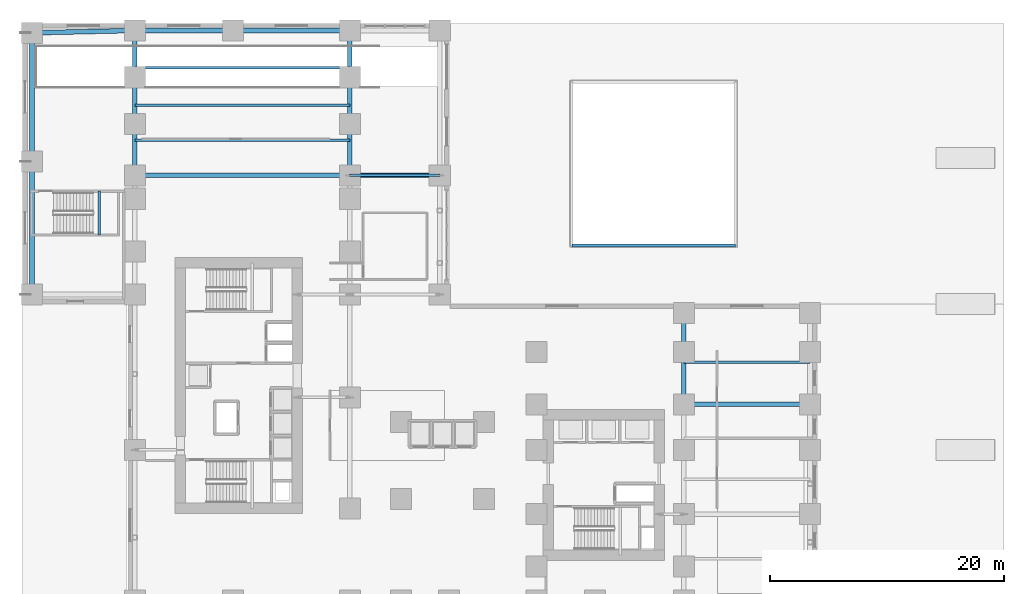
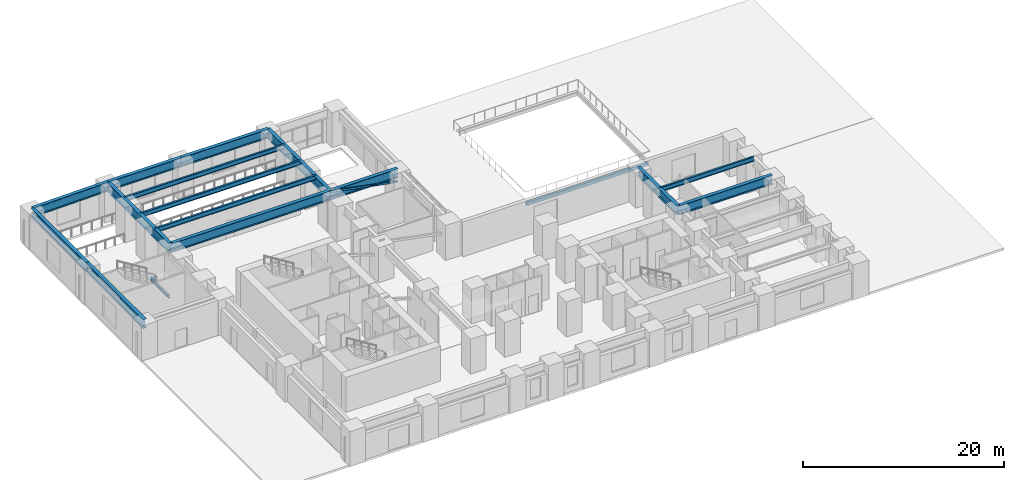
# One storey, part 7 of 23: 17 beams, 1 member.
"""IFC4 building model written with IfcOpenShell, lengths in metres."""

from ifc_helpers import new_model, si_unit, direction, frame, origin, origin_2d, place, context, subcontext, project, spatial, hollow_rectangle, i_section, extrude, source, transform, mapped, material, material_profile, profile_set, type_object, element, save


model = new_model("IFC4")

# Units and contexts
model_context = context("Model", 3, precision=1e-05, world=origin(), true_north=direction((0.0, 1.0)))
body_context = subcontext(model_context, "Body", "Model", "MODEL_VIEW")
ifc_project = project(units=[si_unit("LENGTHUNIT", "METRE"), si_unit("AREAUNIT", "SQUARE_METRE"), si_unit("VOLUMEUNIT", "CUBIC_METRE"), si_unit("PLANEANGLEUNIT", "RADIAN"), si_unit("MASSUNIT", "GRAM", prefix="KILO")], contexts=[model_context])

# Site, building, storey
site_placement = place(None, origin())
site = spatial("IfcSite", under=ifc_project, at=site_placement, CompositionType="ELEMENT")
building_placement = place(site_placement, origin())
building = spatial("IfcBuilding", under=site, at=building_placement, Name="Kharzan Plaza Tower", CompositionType="ELEMENT")
storey_placement = place(building_placement, origin())
storey = spatial("IfcBuildingStorey", under=building, at=storey_placement, Name="L00", CompositionType="ELEMENT", Elevation=0.0)

# Beams
ifc_material = material(Name="Steel S355", Category="steel")
ifc_material_profile_1 = material_profile(ifc_material, i_section(OverallWidth=0.214111328125, OverallDepth=0.549072265625, WebThickness=0.0146484375, FlangeThickness=0.023681640625, at=origin_2d()), Name="W530x138")
ifc_profile_set_1 = profile_set([ifc_material_profile_1], Name="Steel S355")
beam_type_1 = type_object("IfcBeamType", Name="BM-JST530A", PredefinedType="JOIST", material=ifc_profile_set_1)
shared_shape_1 = source(origin(), body_context, "Body", "SweptSolid", [
    extrude(i_section(OverallWidth=0.214111328125, OverallDepth=0.549072265625, WebThickness=0.0146484375, FlangeThickness=0.023681640625, at=origin_2d()), origin(), (0.0, 0.0, 1.0), 18.39990234375),
])
for number, where, z_axis, x_axis, name in (
    (1, (0.60009765625, 40.0, 3.9755859375), (1.0, 0.0, 0.0), (0.0, 1.0, 0.0), "L00 Auditorium Joist PJ-1"),
    (2, (0.60009765625, 43.0, 3.9755859375), (1.0, 0.0, 0.0), (0.0, 1.0, 0.0), "L00 Auditorium Joist PJ-2"),
    (3, (0.60009765625, 46.199951171875, 3.9755859375), (1.0, 0.0, 0.0), (0.0, 1.0, 0.0), "L00 Auditorium Joist PJ-3"),
):
    element("IfcBeam", number, at=place(storey_placement, frame(where, z_axis=z_axis, x_axis=x_axis)), inside=storey, type_object=beam_type_1, Name=name, PredefinedType="JOIST", context=body_context, shape_type="MappedRepresentation", body=[
        mapped(shared_shape_1, transform((0.0, 0.0, 0.0), x_axis=(1.0, 0.0, 0.0), y_axis=(0.0, 1.0, 0.0), z_axis=(0.0, 0.0, 1.0))),
    ])
shared_shape_2 = source(origin(), body_context, "Body", "SweptSolid", [
    extrude(i_section(OverallWidth=0.214111328125, OverallDepth=0.549072265625, WebThickness=0.0146484375, FlangeThickness=0.023681640625, at=origin_2d()), origin(), (0.0, 0.0, 1.0), 10.7998046875),
])
beam_1_placement = place(storey_placement, frame((47.60009765625, 21.0, 3.9755859375), z_axis=(1.0, 0.0, 0.0), x_axis=(0.0, 1.0, 0.0)))
element("IfcBeam", 4, at=beam_1_placement, inside=storey, type_object=beam_type_1, Name="L00 East Podium Joist PJ-B4", PredefinedType="JOIST", context=body_context, shape_type="MappedRepresentation", body=[
    mapped(shared_shape_2, transform((0.0, 0.0, 0.0), x_axis=(1.0, 0.0, 0.0), y_axis=(0.0, 1.0, 0.0), z_axis=(0.0, 0.0, 1.0))),
])
ifc_material_profile_2 = material_profile(ifc_material, i_section(OverallWidth=0.39990234375, OverallDepth=1.10009765625, WebThickness=0.02001953125, FlangeThickness=0.035888671875, at=origin_2d()), Name="W1100x390")
ifc_profile_set_2 = profile_set([ifc_material_profile_2], Name="Steel S355")
beam_type_2 = type_object("IfcBeamType", Name="BM-PG1100B", PredefinedType="BEAM", material=ifc_profile_set_2)
shared_shape_3 = source(origin(), body_context, "Body", "SweptSolid", [
    extrude(i_section(OverallWidth=0.39990234375, OverallDepth=1.10009765625, WebThickness=0.02001953125, FlangeThickness=0.035888671875, at=origin_2d()), origin(), (0.0, 0.0, 1.0), 10.0),
])
beam_2_placement = place(storey_placement, frame((9.0, 49.39990234375, 3.699951171875), z_axis=(1.0, 0.0, 0.0), x_axis=(0.0, 1.0, 0.0)))
element("IfcBeam", 5, at=beam_2_placement, inside=storey, type_object=beam_type_2, Name="L00 Podium Primary Girder PG-10", PredefinedType="BEAM", context=body_context, shape_type="MappedRepresentation", body=[
    mapped(shared_shape_3, transform((0.0, 0.0, 0.0), x_axis=(1.0, 0.0, 0.0), y_axis=(0.0, 1.0, 0.0), z_axis=(0.0, 0.0, 1.0))),
])
shared_shape_4 = source(origin(), body_context, "Body", "SweptSolid", [
    extrude(i_section(OverallWidth=0.39990234375, OverallDepth=1.10009765625, WebThickness=0.02001953125, FlangeThickness=0.035888671875, at=origin_2d()), origin(), (0.0, 0.0, 1.0), 7.699951171875),
])
beam_3_placement = place(storey_placement, frame((19.0, 37.0, 3.699951171875), z_axis=(1.0, 0.0, 0.0), x_axis=(0.0, 1.0, 0.0)))
element("IfcBeam", 6, at=beam_3_placement, inside=storey, type_object=beam_type_2, Name="L00 Podium Primary Girder PG-13", PredefinedType="BEAM", context=body_context, shape_type="MappedRepresentation", body=[
    mapped(shared_shape_4, transform((0.0, 0.0, 0.0), x_axis=(1.0, 0.0, 0.0), y_axis=(0.0, 1.0, 0.0), z_axis=(0.0, 0.0, 1.0))),
])
shared_shape_5 = source(origin(), body_context, "Body", "SweptSolid", [
    extrude(i_section(OverallWidth=0.39990234375, OverallDepth=1.10009765625, WebThickness=0.02001953125, FlangeThickness=0.035888671875, at=origin_2d()), origin(), (0.0, 0.0, 1.0), 18.39990234375),
])
beam_4_placement = place(storey_placement, frame((0.60009765625, 37.0, 3.699951171875), z_axis=(1.0, 0.0, 0.0), x_axis=(0.0, 1.0, 0.0)))
element("IfcBeam", 7, at=beam_4_placement, inside=storey, type_object=beam_type_2, Name="L00 Podium Primary Girder PG-12", PredefinedType="BEAM", context=body_context, shape_type="MappedRepresentation", body=[
    mapped(shared_shape_5, transform((0.0, 0.0, 0.0), x_axis=(1.0, 0.0, 0.0), y_axis=(0.0, 1.0, 0.0), z_axis=(0.0, 0.0, 1.0))),
])
shared_shape_6 = source(origin(), body_context, "Body", "SweptSolid", [
    extrude(i_section(OverallWidth=0.39990234375, OverallDepth=1.10009765625, WebThickness=0.02001953125, FlangeThickness=0.035888671875, at=origin_2d()), origin(), (0.0, 0.0, 1.0), 12.39990234375),
])
for number, where, z_axis, x_axis, name in (
    (8, (0.60009765625, 37.0, 3.699951171875), (0.0, 1.0, 0.0), (-1.0, 0.0, 0.0), "L00 Podium Primary Girder PG-17"),
    (9, (19.0, 37.0, 3.699951171875), (0.0, 1.0, 0.0), (-1.0, 0.0, 0.0), "L00 Podium Primary Girder PG-21"),
):
    element("IfcBeam", number, at=place(storey_placement, frame(where, z_axis=z_axis, x_axis=x_axis)), inside=storey, type_object=beam_type_2, Name=name, PredefinedType="BEAM", context=body_context, shape_type="MappedRepresentation", body=[
        mapped(shared_shape_6, transform((0.0, 0.0, 0.0), x_axis=(1.0, 0.0, 0.0), y_axis=(0.0, 1.0, 0.0), z_axis=(0.0, 0.0, 1.0))),
    ])
shared_shape_7 = source(origin(), body_context, "Body", "SweptSolid", [
    extrude(i_section(OverallWidth=0.39990234375, OverallDepth=1.10009765625, WebThickness=0.02001953125, FlangeThickness=0.035888671875, at=origin_2d()), origin(), (0.0, 0.0, 1.0), 8.39990234375),
])
beam_5_placement = place(storey_placement, frame((0.60009765625, 49.39990234375, 3.699951171875), z_axis=(1.0, 0.0, 0.0), x_axis=(0.0, 1.0, 0.0)))
element("IfcBeam", 10, at=beam_5_placement, inside=storey, type_object=beam_type_2, Name="L00 Podium Primary Girder PG-9", PredefinedType="BEAM", context=body_context, shape_type="MappedRepresentation", body=[
    mapped(shared_shape_7, transform((0.0, 0.0, 0.0), x_axis=(1.0, 0.0, 0.0), y_axis=(0.0, 1.0, 0.0), z_axis=(0.0, 0.0, 1.0))),
])
shared_shape_8 = source(origin(), body_context, "Body", "SweptSolid", [
    extrude(i_section(OverallWidth=0.39990234375, OverallDepth=1.10009765625, WebThickness=0.02001953125, FlangeThickness=0.035888671875, at=origin_2d()), origin(), (0.0, 0.0, 1.0), 7.800048828125),
])
beam_6_placement = place(storey_placement, frame((47.60009765625, 17.39990234375, 3.699951171875), z_axis=(0.0, 1.0, 0.0), x_axis=(-1.0, 0.0, 0.0)))
element("IfcBeam", 11, at=beam_6_placement, inside=storey, type_object=beam_type_2, Name="L00 Podium Primary Girder PG-24", PredefinedType="BEAM", context=body_context, shape_type="MappedRepresentation", body=[
    mapped(shared_shape_8, transform((0.0, 0.0, 0.0), x_axis=(1.0, 0.0, 0.0), y_axis=(0.0, 1.0, 0.0), z_axis=(0.0, 0.0, 1.0))),
])
shared_shape_9 = source(origin(), body_context, "Body", "SweptSolid", [
    extrude(i_section(OverallWidth=0.39990234375, OverallDepth=1.10009765625, WebThickness=0.02001953125, FlangeThickness=0.035888671875, at=origin_2d()), origin(), (0.0, 0.0, 1.0), 10.7998046875),
])
beam_7_placement = place(storey_placement, frame((47.60009765625, 17.39990234375, 3.699951171875), z_axis=(1.0, 0.0, 0.0), x_axis=(0.0, 1.0, 0.0)))
element("IfcBeam", 12, at=beam_7_placement, inside=storey, type_object=beam_type_2, Name="L00 Podium Primary Girder PG-29", PredefinedType="BEAM", context=body_context, shape_type="MappedRepresentation", body=[
    mapped(shared_shape_9, transform((0.0, 0.0, 0.0), x_axis=(1.0, 0.0, 0.0), y_axis=(0.0, 1.0, 0.0), z_axis=(0.0, 0.0, 1.0))),
])
shared_shape_10 = source(origin(), body_context, "Body", "SweptSolid", [
    extrude(i_section(OverallWidth=0.39990234375, OverallDepth=1.10009765625, WebThickness=0.02001953125, FlangeThickness=0.035888671875, at=origin_2d()), origin(), (0.0, 0.0, 1.0), 8.80224609375),
])
beam_8_placement = place(storey_placement, frame((-8.199951171875, 49.199951171875, 3.699951171875), z_axis=(0.9997419644, 0.022715735021, 0.0), x_axis=(-0.022715735021, 0.9997419644, 0.0)))
element("IfcBeam", 13, at=beam_8_placement, inside=storey, type_object=beam_type_2, Name="L00 Podium Primary Girder PG-8", PredefinedType="BEAM", context=body_context, shape_type="MappedRepresentation", body=[
    mapped(shared_shape_10, transform((0.0, 0.0, 0.0), x_axis=(1.0, 0.0, 0.0), y_axis=(0.0, 1.0, 0.0), z_axis=(0.0, 0.0, 1.0))),
])
shared_shape_11 = source(origin(), body_context, "Body", "SweptSolid", [
    extrude(i_section(OverallWidth=0.39990234375, OverallDepth=1.10009765625, WebThickness=0.02001953125, FlangeThickness=0.035888671875, at=origin_2d()), origin(), (0.0, 0.0, 1.0), 11.39990234375),
])
beam_9_placement = place(storey_placement, frame((-8.199951171875, 26.800048828125, 3.699951171875), z_axis=(0.0, 1.0, 0.0), x_axis=(-1.0, 0.0, 0.0)))
element("IfcBeam", 14, at=beam_9_placement, inside=storey, type_object=beam_type_2, Name="L00 Podium Primary Girder PG-8W1", PredefinedType="BEAM", context=body_context, shape_type="MappedRepresentation", body=[
    mapped(shared_shape_11, transform((0.0, 0.0, 0.0), x_axis=(1.0, 0.0, 0.0), y_axis=(0.0, 1.0, 0.0), z_axis=(0.0, 0.0, 1.0))),
])
shared_shape_12 = source(origin(), body_context, "Body", "SweptSolid", [
    extrude(i_section(OverallWidth=0.39990234375, OverallDepth=1.10009765625, WebThickness=0.02001953125, FlangeThickness=0.035888671875, at=origin_2d()), origin(), (0.0, 0.0, 1.0), 11.0),
])
beam_10_placement = place(storey_placement, frame((-8.199951171875, 38.199951171875, 3.699951171875), z_axis=(0.0, 1.0, 0.0), x_axis=(-1.0, 0.0, 0.0)))
element("IfcBeam", 15, at=beam_10_placement, inside=storey, type_object=beam_type_2, Name="L00 Podium Primary Girder PG-8W2", PredefinedType="BEAM", context=body_context, shape_type="MappedRepresentation", body=[
    mapped(shared_shape_12, transform((0.0, 0.0, 0.0), x_axis=(1.0, 0.0, 0.0), y_axis=(0.0, 1.0, 0.0), z_axis=(0.0, 0.0, 1.0))),
])
ifc_material_profile_3 = material_profile(ifc_material, i_section(OverallWidth=0.205078125, OverallDepth=0.35400390625, WebThickness=0.009521484375, FlangeThickness=0.016845703125, at=origin_2d()), Name="W360x79")
ifc_profile_set_3 = profile_set([ifc_material_profile_3], Name="Steel S355")
beam_type_3 = type_object("IfcBeamType", Name="BM-LNT360", PredefinedType="LINTEL", material=ifc_profile_set_3)
shared_shape_13 = source(origin(), body_context, "Body", "SweptSolid", [
    extrude(i_section(OverallWidth=0.205078125, OverallDepth=0.35400390625, WebThickness=0.009521484375, FlangeThickness=0.016845703125, at=origin_2d()), origin(), (0.0, 0.0, 1.0), 3.760009765625),
])
beam_11_placement = place(storey_placement, frame((-2.449951171875, 31.89501953125, 1.873046875), z_axis=(0.0, 1.0, 0.0), x_axis=(-1.0, 0.0, 0.0)))
element("IfcBeam", 16, at=beam_11_placement, inside=storey, type_object=beam_type_3, Name="L00 Stair ST-4 Half-Landing Beam", PredefinedType="LINTEL", context=body_context, shape_type="MappedRepresentation", body=[
    mapped(shared_shape_13, transform((0.0, 0.0, 0.0), x_axis=(1.0, 0.0, 0.0), y_axis=(0.0, 1.0, 0.0), z_axis=(0.0, 0.0, 1.0))),
])
ifc_material_profile_4 = material_profile(ifc_material, hollow_rectangle(XDim=0.25, YDim=0.39990234375, WallThickness=0.01611328125, at=origin_2d()), Name="RHS400x250x16")
ifc_profile_set_4 = profile_set([ifc_material_profile_4], Name="Steel S355")
beam_type_4 = type_object("IfcBeamType", Name="BM-OCU400", PredefinedType="SPANDREL", material=ifc_profile_set_4)
shared_shape_14 = source(origin(), body_context, "Body", "SweptSolid", [
    extrude(hollow_rectangle(XDim=0.25, YDim=0.39990234375, WallThickness=0.01611328125, at=origin_2d()), origin(), (0.0, 0.0, 1.0), 14.0),
])
beam_12_placement = place(storey_placement, frame((38.0, 31.0, -0.449951171875), z_axis=(1.0, 0.0, 0.0), x_axis=(0.0, 1.0, 0.0)))
element("IfcBeam", 17, at=beam_12_placement, inside=storey, type_object=beam_type_4, Name="L00 Sunken Oculus Edge Ring Beam OCB1-1", PredefinedType="SPANDREL", context=body_context, shape_type="MappedRepresentation", body=[
    mapped(shared_shape_14, transform((0.0, 0.0, 0.0), x_axis=(1.0, 0.0, 0.0), y_axis=(0.0, 1.0, 0.0), z_axis=(0.0, 0.0, 1.0))),
])

# Member
ifc_material_profile_5 = material_profile(ifc_material, hollow_rectangle(XDim=0.219970703125, YDim=0.219970703125, WallThickness=0.012451171875, at=origin_2d()), Name="SHS220x220x12.5")
ifc_profile_set_5 = profile_set([ifc_material_profile_5], Name="Steel S355")
member_type = type_object("IfcMemberType", Name="MEM-STB-220", PredefinedType="STRUT", material=ifc_profile_set_5)
shared_shape_15 = source(origin(), body_context, "Body", "SweptSolid", [
    extrude(hollow_rectangle(XDim=0.219970703125, YDim=0.219970703125, WallThickness=0.012451171875, at=origin_2d()), origin(), (0.0, 0.0, 1.0), 7.8447265625),
])
member_placement = place(storey_placement, frame((26.699951171875, 37.0, 2.60009765625), z_axis=(-0.981548759508, 0.0, 0.191212009842), x_axis=(0.0, -1.0, 0.0)))
element("IfcMember", 18, at=member_placement, inside=storey, type_object=member_type, Name="L00 Entrance Portal Tie Strut STB1-5", PredefinedType="STRUT", context=body_context, shape_type="MappedRepresentation", body=[
    mapped(shared_shape_15, transform((0.0, 0.0, 0.0), x_axis=(1.0, 0.0, 0.0), y_axis=(0.0, 1.0, 0.0), z_axis=(0.0, 0.0, 1.0))),
])

save(model, "model.ifc")
